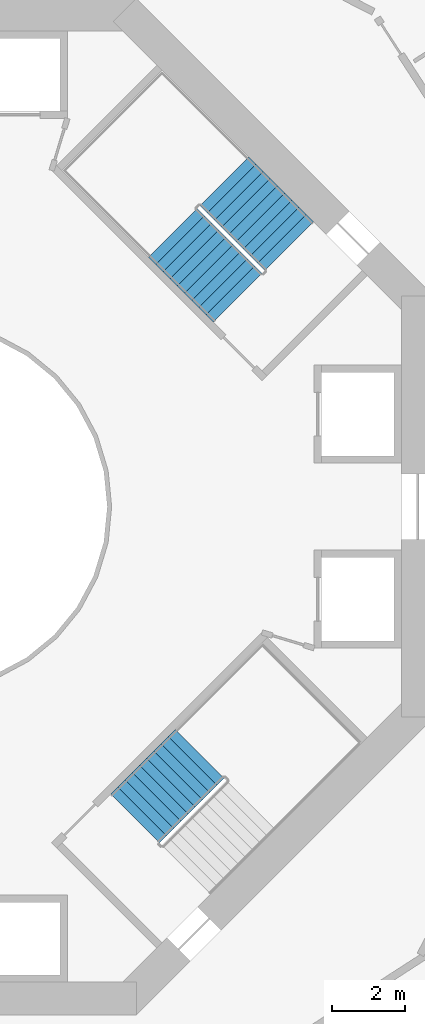
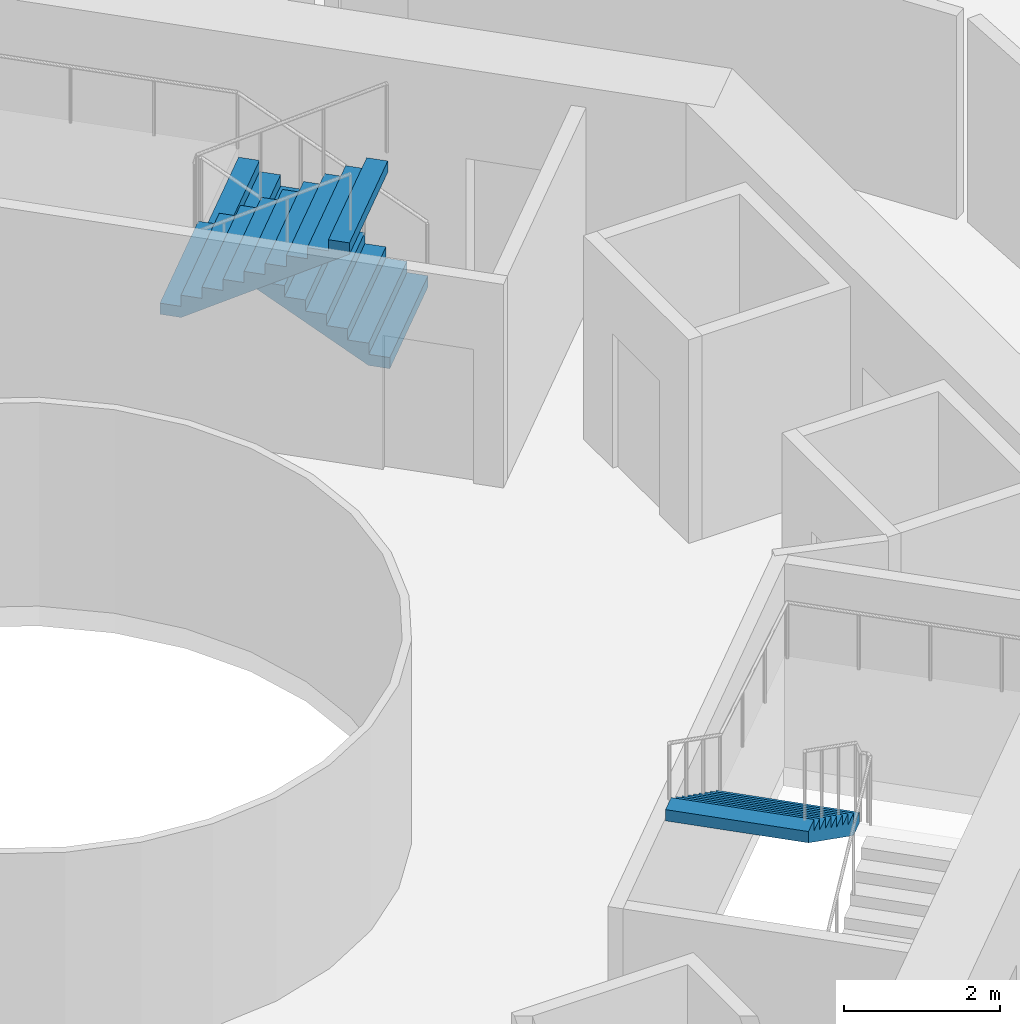
# One storey, part 24 of 25: 3 stair flights, 2 elements without a shape of their own.
"""IFC4 building model written with IfcOpenShell, lengths in metres."""

from ifc_helpers import new_model, si_unit, direction, frame, origin, place, context, subcontext, project, spatial, triangles, material, type_object, element, aggregate, save


model = new_model("IFC4")

# Units and contexts
model_context = context("Model", 3, precision=1e-05, world=origin(), true_north=direction((0.0, 1.0)))
body_context = subcontext(model_context, "Body", "Model", "MODEL_VIEW")
ifc_project = project(units=[si_unit("LENGTHUNIT", "METRE"), si_unit("AREAUNIT", "SQUARE_METRE"), si_unit("VOLUMEUNIT", "CUBIC_METRE"), si_unit("PLANEANGLEUNIT", "RADIAN"), si_unit("MASSUNIT", "GRAM", prefix="KILO")], contexts=[model_context])

# Site, building, storey
site_placement = place(None, origin())
site = spatial("IfcSite", under=ifc_project, at=site_placement, CompositionType="ELEMENT")
building_placement = place(site_placement, origin())
building = spatial("IfcBuilding", under=site, at=building_placement, Name="Verdalira Terraces Hotel", CompositionType="ELEMENT")
storey_placement = place(building_placement, frame((0.0, 0.0, 46.0)))
storey = spatial("IfcBuildingStorey", under=building, at=storey_placement, Name="L09", CompositionType="ELEMENT", Elevation=46.0)

# Stair, stair flights
ifc_material_1 = material(Name="Concrete C40", Category="concrete")
stair_type = type_object("IfcStairType", Name="Core stair 20 risers 1900 mm wide", PredefinedType="HALF_TURN_STAIR", material=ifc_material_1)
stair_1_placement = place(storey_placement, origin())
stair_1 = element("IfcStair", 1, at=stair_1_placement, inside=storey, type_object=stair_type, Name="L09 Exit stair ST1", PredefinedType="HALF_TURN_STAIR")
ifc_material_2 = material(Name="Concrete C40", Category="concrete")
stair_flight_type = type_object("IfcStairFlightType", Name="Core stair flight 20 risers 1900 mm wide", PredefinedType="STRAIGHT", material=ifc_material_2)
stair_flight_1_placement = place(storey_placement, frame((10.005615, 7.177246, 0.0), z_axis=(0.0, 0.0, 1.0), x_axis=(-0.707106781, 0.707106781, 0.0)))
stair_flight_1 = element("IfcStairFlight", 2, at=stair_flight_1_placement, type_object=stair_flight_type, Name="ST1 flight 1", NumberOfRisers=10, NumberOfTreads=9, PredefinedType="STRAIGHT", RiserHeight=0.175, TreadLength=0.28, context=body_context, shape_type="Tessellation", body=[
    triangles([(0.0, 0.949951, 0.0), (0.282715, 0.949951, 0.0), (2.52002, 0.949951, 1.398193), (0.0, -0.949951, 0.0), (0.282715, -0.949951, 0.0), (2.52002, -0.949951, 1.398193), (2.52002, 0.949951, 1.574951), (2.23999, 0.949951, 1.574951), (2.52002, -0.949951, 1.574951), (2.23999, -0.949951, 1.574951), (2.23999, 0.949951, 1.399902), (2.23999, -0.949951, 1.399902), (1.959961, 0.949951, 1.399902), (1.959961, -0.949951, 1.399902), (1.959961, 0.949951, 1.225098), (1.959961, -0.949951, 1.225098), (1.679932, 0.949951, 1.225098), (1.679932, 0.949951, 1.050049), (1.679932, -0.949951, 1.225098), (1.679932, -0.949951, 1.050049), (1.399902, 0.949951, 1.050049), (1.399902, 0.949951, 0.875), (1.399902, -0.949951, 1.050049), (1.399902, -0.949951, 0.875), (1.120117, 0.949951, 0.875), (1.120117, 0.949951, 0.699951), (1.120117, -0.949951, 0.875), (1.120117, -0.949951, 0.699951), (0.840088, 0.949951, 0.699951), (0.840088, 0.949951, 0.524902), (0.840088, -0.949951, 0.699951), (0.840088, -0.949951, 0.524902), (0.560059, 0.949951, 0.524902), (0.560059, 0.949951, 0.350098), (0.560059, -0.949951, 0.524902), (0.560059, -0.949951, 0.350098), (0.280029, 0.949951, 0.350098), (0.280029, 0.949951, 0.175049), (0.280029, -0.949951, 0.350098), (0.280029, -0.949951, 0.175049), (0.0, 0.949951, 0.175049), (0.0, -0.949951, 0.175049), (0.0, -0.890579, 0.0), (0.0, -0.890579, 0.175049), (0.0, -0.831207, 0.0), (0.0, -0.831207, 0.175049), (0.0, -0.771835, 0.0), (0.0, -0.771835, 0.175049), (0.0, -0.712463, 0.0), (0.0, -0.712463, 0.175049), (0.0, -0.653091, 0.0), (0.0, -0.653091, 0.175049), (0.0, -0.593719, 0.0), (0.0, -0.593719, 0.175049), (0.0, -0.534348, 0.0), (0.0, -0.534348, 0.175049), (0.0, -0.474976, 0.0), (0.0, -0.474976, 0.175049), (0.0, -0.415604, 0.0), (0.0, -0.415604, 0.175049), (0.0, -0.356232, 0.0), (0.0, -0.356232, 0.175049), (0.0, -0.29686, 0.0), (0.0, -0.29686, 0.175049), (0.0, -0.237488, 0.0), (0.0, -0.237488, 0.175049), (0.0, -0.178116, 0.0), (0.0, -0.178116, 0.175049), (0.0, -0.118744, 0.0), (0.0, -0.118744, 0.175049), (0.0, -0.059372, 0.0), (0.0, -0.059372, 0.175049), (0.0, 0.0, 0.0), (0.0, 0.0, 0.175049), (0.0, 0.059372, 0.0), (0.0, 0.059372, 0.175049), (0.0, 0.118744, 0.0), (0.0, 0.118744, 0.175049), (0.0, 0.178116, 0.0), (0.0, 0.178116, 0.175049), (0.0, 0.237488, 0.0), (0.0, 0.237488, 0.175049), (0.0, 0.29686, 0.0), (0.0, 0.29686, 0.175049), (0.0, 0.356232, 0.0), (0.0, 0.356232, 0.175049), (0.0, 0.415604, 0.0), (0.0, 0.415604, 0.175049), (0.0, 0.474976, 0.0), (0.0, 0.474976, 0.175049), (0.0, 0.534348, 0.0), (0.0, 0.534348, 0.175049), (0.0, 0.593719, 0.0), (0.0, 0.593719, 0.175049), (0.0, 0.653091, 0.0), (0.0, 0.653091, 0.175049), (0.0, 0.712463, 0.0), (0.0, 0.712463, 0.175049), (0.0, 0.771835, 0.0), (0.0, 0.771835, 0.175049), (0.0, 0.831207, 0.0), (0.0, 0.831207, 0.175049), (0.0, 0.890579, 0.0), (0.0, 0.890579, 0.175049), (2.52002, -0.890579, 1.574951), (2.52002, -0.831207, 1.574951), (2.52002, -0.771835, 1.574951), (2.52002, -0.712463, 1.574951), (2.52002, -0.653091, 1.574951), (2.52002, -0.593719, 1.574951), (2.52002, -0.534348, 1.574951), (2.52002, -0.474976, 1.574951), (2.52002, -0.415604, 1.574951), (2.52002, -0.356232, 1.574951), (2.52002, -0.29686, 1.574951), (2.52002, -0.237488, 1.574951), (2.52002, -0.178116, 1.574951), (2.52002, -0.118744, 1.574951), (2.52002, -0.059372, 1.574951), (2.52002, 0.0, 1.574951), (2.52002, 0.059372, 1.574951), (2.52002, 0.118744, 1.574951), (2.52002, 0.178116, 1.574951), (2.52002, 0.237488, 1.574951), (2.52002, 0.29686, 1.574951), (2.52002, 0.356232, 1.574951), (2.52002, 0.415604, 1.574951), (2.52002, 0.474976, 1.574951), (2.52002, 0.534348, 1.574951), (2.52002, 0.593719, 1.574951), (2.52002, 0.653091, 1.574951), (2.52002, 0.712463, 1.574951), (2.52002, 0.771835, 1.574951), (2.52002, 0.831207, 1.574951), (2.52002, 0.890579, 1.574951), (2.52002, -0.890579, 1.398193), (2.52002, -0.831207, 1.398193), (2.52002, -0.771835, 1.398193), (2.52002, -0.712463, 1.398193), (2.52002, -0.653091, 1.398193), (2.52002, -0.593719, 1.398193), (2.52002, -0.534348, 1.398193), (2.52002, -0.474976, 1.398193), (2.52002, -0.415604, 1.398193), (2.52002, -0.356232, 1.398193), (2.52002, -0.29686, 1.398193), (2.52002, -0.237488, 1.398193), (2.52002, -0.178116, 1.398193), (2.52002, -0.118744, 1.398193), (2.52002, -0.059372, 1.398193), (2.52002, 0.0, 1.398193), (2.52002, 0.059372, 1.398193), (2.52002, 0.118744, 1.398193), (2.52002, 0.178116, 1.398193), (2.52002, 0.237488, 1.398193), (2.52002, 0.29686, 1.398193), (2.52002, 0.356232, 1.398193), (2.52002, 0.415604, 1.398193), (2.52002, 0.474976, 1.398193), (2.52002, 0.534348, 1.398193), (2.52002, 0.593719, 1.398193), (2.52002, 0.653091, 1.398193), (2.52002, 0.712463, 1.398193), (2.52002, 0.771835, 1.398193), (2.52002, 0.831207, 1.398193), (2.52002, 0.890579, 1.398193)], [[1, 3, 2], [4, 5, 6], [3, 8, 7], [6, 9, 10], [3, 11, 8], [6, 10, 12], [3, 13, 11], [6, 12, 14], [3, 15, 13], [6, 14, 16], [15, 18, 17], [16, 19, 20], [3, 18, 15], [6, 16, 20], [18, 22, 21], [20, 23, 24], [3, 22, 18], [6, 20, 24], [22, 26, 25], [24, 27, 28], [3, 26, 22], [6, 24, 28], [26, 30, 29], [28, 31, 32], [3, 30, 26], [6, 28, 32], [1, 30, 3], [4, 6, 32], [30, 34, 33], [32, 35, 36], [34, 38, 37], [36, 39, 40], [30, 38, 34], [32, 36, 40], [1, 38, 30], [4, 32, 40], [38, 1, 41], [40, 42, 4], [4, 44, 43], [4, 42, 44], [43, 46, 45], [43, 44, 46], [45, 48, 47], [45, 46, 48], [47, 50, 49], [47, 48, 50], [49, 52, 51], [49, 50, 52], [51, 54, 53], [51, 52, 54], [53, 56, 55], [53, 54, 56], [55, 58, 57], [55, 56, 58], [57, 60, 59], [57, 58, 60], [59, 62, 61], [59, 60, 62], [61, 64, 63], [61, 62, 64], [63, 66, 65], [63, 64, 66], [65, 68, 67], [65, 66, 68], [67, 70, 69], [67, 68, 70], [69, 72, 71], [69, 70, 72], [71, 74, 73], [71, 72, 74], [73, 76, 75], [73, 74, 76], [75, 78, 77], [75, 76, 78], [77, 80, 79], [77, 78, 80], [79, 82, 81], [79, 80, 82], [81, 84, 83], [81, 82, 84], [83, 86, 85], [83, 84, 86], [85, 88, 87], [85, 86, 88], [87, 90, 89], [87, 88, 90], [89, 92, 91], [89, 90, 92], [91, 94, 93], [91, 92, 94], [93, 96, 95], [93, 94, 96], [95, 98, 97], [95, 96, 98], [97, 100, 99], [97, 98, 100], [99, 102, 101], [99, 100, 102], [101, 104, 103], [101, 102, 104], [103, 41, 1], [103, 104, 41], [42, 40, 44], [44, 40, 46], [46, 40, 48], [48, 40, 50], [50, 40, 52], [52, 40, 54], [54, 40, 56], [56, 40, 58], [58, 40, 60], [60, 40, 62], [62, 40, 64], [64, 40, 66], [66, 40, 68], [68, 40, 70], [70, 40, 72], [72, 40, 74], [74, 40, 76], [76, 40, 78], [78, 40, 80], [80, 40, 82], [82, 40, 84], [84, 40, 86], [86, 40, 88], [88, 40, 90], [90, 40, 92], [92, 40, 94], [94, 40, 96], [96, 40, 98], [98, 40, 100], [100, 40, 102], [102, 40, 104], [104, 40, 41], [41, 40, 38], [40, 37, 38], [40, 39, 37], [39, 34, 37], [39, 36, 34], [36, 33, 34], [36, 35, 33], [35, 30, 33], [35, 32, 30], [32, 29, 30], [32, 31, 29], [31, 26, 29], [31, 28, 26], [28, 25, 26], [28, 27, 25], [27, 22, 25], [27, 24, 22], [24, 21, 22], [24, 23, 21], [23, 18, 21], [23, 20, 18], [20, 17, 18], [20, 19, 17], [19, 15, 17], [19, 16, 15], [16, 13, 15], [16, 14, 13], [14, 11, 13], [14, 12, 11], [12, 8, 11], [12, 10, 8], [9, 105, 10], [105, 106, 10], [106, 107, 10], [107, 108, 10], [108, 109, 10], [109, 110, 10], [110, 111, 10], [111, 112, 10], [112, 113, 10], [113, 114, 10], [114, 115, 10], [115, 116, 10], [116, 117, 10], [117, 118, 10], [118, 119, 10], [119, 120, 10], [120, 121, 10], [121, 122, 10], [122, 123, 10], [123, 124, 10], [124, 125, 10], [125, 126, 10], [126, 127, 10], [127, 128, 10], [128, 129, 10], [129, 130, 10], [130, 131, 10], [131, 132, 10], [132, 133, 10], [133, 134, 10], [134, 135, 10], [135, 7, 10], [7, 8, 10], [9, 136, 105], [9, 6, 136], [105, 137, 106], [105, 136, 137], [106, 138, 107], [106, 137, 138], [107, 139, 108], [107, 138, 139], [108, 140, 109], [108, 139, 140], [109, 141, 110], [109, 140, 141], [110, 142, 111], [110, 141, 142], [111, 143, 112], [111, 142, 143], [112, 144, 113], [112, 143, 144], [113, 145, 114], [113, 144, 145], [114, 146, 115], [114, 145, 146], [115, 147, 116], [115, 146, 147], [116, 148, 117], [116, 147, 148], [117, 149, 118], [117, 148, 149], [118, 150, 119], [118, 149, 150], [119, 151, 120], [119, 150, 151], [120, 152, 121], [120, 151, 152], [121, 153, 122], [121, 152, 153], [122, 154, 123], [122, 153, 154], [123, 155, 124], [123, 154, 155], [124, 156, 125], [124, 155, 156], [125, 157, 126], [125, 156, 157], [126, 158, 127], [126, 157, 158], [127, 159, 128], [127, 158, 159], [128, 160, 129], [128, 159, 160], [129, 161, 130], [129, 160, 161], [130, 162, 131], [130, 161, 162], [131, 163, 132], [131, 162, 163], [132, 164, 133], [132, 163, 164], [133, 165, 134], [133, 164, 165], [134, 166, 135], [134, 165, 166], [135, 3, 7], [135, 166, 3], [6, 5, 136], [136, 5, 137], [137, 5, 138], [138, 5, 139], [139, 5, 140], [140, 5, 141], [141, 5, 142], [142, 5, 143], [143, 5, 144], [144, 5, 145], [145, 5, 146], [146, 5, 147], [147, 5, 148], [148, 5, 149], [149, 5, 150], [150, 5, 151], [151, 5, 152], [152, 5, 153], [153, 5, 154], [154, 5, 155], [155, 5, 156], [156, 5, 157], [157, 5, 158], [158, 5, 159], [159, 5, 160], [160, 5, 161], [161, 5, 162], [162, 5, 163], [163, 5, 164], [164, 5, 165], [165, 5, 166], [166, 5, 3], [3, 5, 2], [4, 43, 5], [43, 45, 5], [45, 47, 5], [47, 49, 5], [49, 51, 5], [51, 53, 5], [53, 55, 5], [55, 57, 5], [57, 59, 5], [59, 61, 5], [61, 63, 5], [63, 65, 5], [65, 67, 5], [67, 69, 5], [69, 71, 5], [71, 73, 5], [73, 75, 5], [75, 77, 5], [77, 79, 5], [79, 81, 5], [81, 83, 5], [83, 85, 5], [85, 87, 5], [87, 89, 5], [89, 91, 5], [91, 93, 5], [93, 95, 5], [95, 97, 5], [97, 99, 5], [99, 101, 5], [101, 103, 5], [103, 1, 5], [1, 2, 5]], closed=True),
])
stair_flight_2_placement = place(storey_placement, frame((6.809326, 7.544922, 1.75), z_axis=(0.0, 0.0, 1.0), x_axis=(0.707106781, -0.707106781, 0.0)))
stair_flight_2 = element("IfcStairFlight", 3, at=stair_flight_2_placement, type_object=stair_flight_type, Name="ST1 flight 2", NumberOfRisers=10, NumberOfTreads=9, PredefinedType="STRAIGHT", RiserHeight=0.175, TreadLength=0.28, context=body_context, shape_type="Tessellation", body=[
    triangles([(0.0, 0.949951, 0.0), (0.282715, 0.949951, 0.0), (2.52002, 0.949951, 1.398193), (0.0, -0.949951, 0.0), (0.282715, -0.949951, 0.0), (2.52002, -0.949951, 1.398193), (2.52002, 0.949951, 1.574951), (2.23999, 0.949951, 1.574951), (2.52002, -0.949951, 1.574951), (2.23999, -0.949951, 1.574951), (2.23999, 0.949951, 1.399902), (2.23999, -0.949951, 1.399902), (1.959961, 0.949951, 1.399902), (1.959961, -0.949951, 1.399902), (1.959961, 0.949951, 1.225098), (1.959961, -0.949951, 1.225098), (1.679932, 0.949951, 1.225098), (1.679932, 0.949951, 1.050049), (1.679932, -0.949951, 1.225098), (1.679932, -0.949951, 1.050049), (1.399902, 0.949951, 1.050049), (1.399902, 0.949951, 0.875), (1.399902, -0.949951, 1.050049), (1.399902, -0.949951, 0.875), (1.120117, 0.949951, 0.875), (1.120117, 0.949951, 0.699951), (1.120117, -0.949951, 0.875), (1.120117, -0.949951, 0.699951), (0.840088, 0.949951, 0.699951), (0.840088, 0.949951, 0.524902), (0.840088, -0.949951, 0.699951), (0.840088, -0.949951, 0.524902), (0.560059, 0.949951, 0.524902), (0.560059, 0.949951, 0.350098), (0.560059, -0.949951, 0.524902), (0.560059, -0.949951, 0.350098), (0.280029, 0.949951, 0.350098), (0.280029, 0.949951, 0.175049), (0.280029, -0.949951, 0.350098), (0.280029, -0.949951, 0.175049), (0.0, 0.949951, 0.175049), (0.0, -0.949951, 0.175049), (0.0, -0.890579, 0.0), (0.0, -0.890579, 0.175049), (0.0, -0.831207, 0.0), (0.0, -0.831207, 0.175049), (0.0, -0.771835, 0.0), (0.0, -0.771835, 0.175049), (0.0, -0.712463, 0.0), (0.0, -0.712463, 0.175049), (0.0, -0.653091, 0.0), (0.0, -0.653091, 0.175049), (0.0, -0.593719, 0.0), (0.0, -0.593719, 0.175049), (0.0, -0.534348, 0.0), (0.0, -0.534348, 0.175049), (0.0, -0.474976, 0.0), (0.0, -0.474976, 0.175049), (0.0, -0.415604, 0.0), (0.0, -0.415604, 0.175049), (0.0, -0.356232, 0.0), (0.0, -0.356232, 0.175049), (0.0, -0.29686, 0.0), (0.0, -0.29686, 0.175049), (0.0, -0.237488, 0.0), (0.0, -0.237488, 0.175049), (0.0, -0.178116, 0.0), (0.0, -0.178116, 0.175049), (0.0, -0.118744, 0.0), (0.0, -0.118744, 0.175049), (0.0, -0.059372, 0.0), (0.0, -0.059372, 0.175049), (0.0, 0.0, 0.0), (0.0, 0.0, 0.175049), (0.0, 0.059372, 0.0), (0.0, 0.059372, 0.175049), (0.0, 0.118744, 0.0), (0.0, 0.118744, 0.175049), (0.0, 0.178116, 0.0), (0.0, 0.178116, 0.175049), (0.0, 0.237488, 0.0), (0.0, 0.237488, 0.175049), (0.0, 0.29686, 0.0), (0.0, 0.29686, 0.175049), (0.0, 0.356232, 0.0), (0.0, 0.356232, 0.175049), (0.0, 0.415604, 0.0), (0.0, 0.415604, 0.175049), (0.0, 0.474976, 0.0), (0.0, 0.474976, 0.175049), (0.0, 0.534348, 0.0), (0.0, 0.534348, 0.175049), (0.0, 0.593719, 0.0), (0.0, 0.593719, 0.175049), (0.0, 0.653091, 0.0), (0.0, 0.653091, 0.175049), (0.0, 0.712463, 0.0), (0.0, 0.712463, 0.175049), (0.0, 0.771835, 0.0), (0.0, 0.771835, 0.175049), (0.0, 0.831207, 0.0), (0.0, 0.831207, 0.175049), (0.0, 0.890579, 0.0), (0.0, 0.890579, 0.175049), (2.52002, -0.890579, 1.574951), (2.52002, -0.831207, 1.574951), (2.52002, -0.771835, 1.574951), (2.52002, -0.712463, 1.574951), (2.52002, -0.653091, 1.574951), (2.52002, -0.593719, 1.574951), (2.52002, -0.534348, 1.574951), (2.52002, -0.474976, 1.574951), (2.52002, -0.415604, 1.574951), (2.52002, -0.356232, 1.574951), (2.52002, -0.29686, 1.574951), (2.52002, -0.237488, 1.574951), (2.52002, -0.178116, 1.574951), (2.52002, -0.118744, 1.574951), (2.52002, -0.059372, 1.574951), (2.52002, 0.0, 1.574951), (2.52002, 0.059372, 1.574951), (2.52002, 0.118744, 1.574951), (2.52002, 0.178116, 1.574951), (2.52002, 0.237488, 1.574951), (2.52002, 0.29686, 1.574951), (2.52002, 0.356232, 1.574951), (2.52002, 0.415604, 1.574951), (2.52002, 0.474976, 1.574951), (2.52002, 0.534348, 1.574951), (2.52002, 0.593719, 1.574951), (2.52002, 0.653091, 1.574951), (2.52002, 0.712463, 1.574951), (2.52002, 0.771835, 1.574951), (2.52002, 0.831207, 1.574951), (2.52002, 0.890579, 1.574951), (2.52002, -0.890579, 1.398193), (2.52002, -0.831207, 1.398193), (2.52002, -0.771835, 1.398193), (2.52002, -0.712463, 1.398193), (2.52002, -0.653091, 1.398193), (2.52002, -0.593719, 1.398193), (2.52002, -0.534348, 1.398193), (2.52002, -0.474976, 1.398193), (2.52002, -0.415604, 1.398193), (2.52002, -0.356232, 1.398193), (2.52002, -0.29686, 1.398193), (2.52002, -0.237488, 1.398193), (2.52002, -0.178116, 1.398193), (2.52002, -0.118744, 1.398193), (2.52002, -0.059372, 1.398193), (2.52002, 0.0, 1.398193), (2.52002, 0.059372, 1.398193), (2.52002, 0.118744, 1.398193), (2.52002, 0.178116, 1.398193), (2.52002, 0.237488, 1.398193), (2.52002, 0.29686, 1.398193), (2.52002, 0.356232, 1.398193), (2.52002, 0.415604, 1.398193), (2.52002, 0.474976, 1.398193), (2.52002, 0.534348, 1.398193), (2.52002, 0.593719, 1.398193), (2.52002, 0.653091, 1.398193), (2.52002, 0.712463, 1.398193), (2.52002, 0.771835, 1.398193), (2.52002, 0.831207, 1.398193), (2.52002, 0.890579, 1.398193)], [[1, 3, 2], [4, 5, 6], [3, 8, 7], [6, 9, 10], [3, 11, 8], [6, 10, 12], [3, 13, 11], [6, 12, 14], [3, 15, 13], [6, 14, 16], [15, 18, 17], [16, 19, 20], [3, 18, 15], [6, 16, 20], [18, 22, 21], [20, 23, 24], [3, 22, 18], [6, 20, 24], [22, 26, 25], [24, 27, 28], [3, 26, 22], [6, 24, 28], [26, 30, 29], [28, 31, 32], [3, 30, 26], [6, 28, 32], [1, 30, 3], [4, 6, 32], [30, 34, 33], [32, 35, 36], [34, 38, 37], [36, 39, 40], [30, 38, 34], [32, 36, 40], [1, 38, 30], [4, 32, 40], [38, 1, 41], [40, 42, 4], [4, 44, 43], [4, 42, 44], [43, 46, 45], [43, 44, 46], [45, 48, 47], [45, 46, 48], [47, 50, 49], [47, 48, 50], [49, 52, 51], [49, 50, 52], [51, 54, 53], [51, 52, 54], [53, 56, 55], [53, 54, 56], [55, 58, 57], [55, 56, 58], [57, 60, 59], [57, 58, 60], [59, 62, 61], [59, 60, 62], [61, 64, 63], [61, 62, 64], [63, 66, 65], [63, 64, 66], [65, 68, 67], [65, 66, 68], [67, 70, 69], [67, 68, 70], [69, 72, 71], [69, 70, 72], [71, 74, 73], [71, 72, 74], [73, 76, 75], [73, 74, 76], [75, 78, 77], [75, 76, 78], [77, 80, 79], [77, 78, 80], [79, 82, 81], [79, 80, 82], [81, 84, 83], [81, 82, 84], [83, 86, 85], [83, 84, 86], [85, 88, 87], [85, 86, 88], [87, 90, 89], [87, 88, 90], [89, 92, 91], [89, 90, 92], [91, 94, 93], [91, 92, 94], [93, 96, 95], [93, 94, 96], [95, 98, 97], [95, 96, 98], [97, 100, 99], [97, 98, 100], [99, 102, 101], [99, 100, 102], [101, 104, 103], [101, 102, 104], [103, 41, 1], [103, 104, 41], [42, 40, 44], [44, 40, 46], [46, 40, 48], [48, 40, 50], [50, 40, 52], [52, 40, 54], [54, 40, 56], [56, 40, 58], [58, 40, 60], [60, 40, 62], [62, 40, 64], [64, 40, 66], [66, 40, 68], [68, 40, 70], [70, 40, 72], [72, 40, 74], [74, 40, 76], [76, 40, 78], [78, 40, 80], [80, 40, 82], [82, 40, 84], [84, 40, 86], [86, 40, 88], [88, 40, 90], [90, 40, 92], [92, 40, 94], [94, 40, 96], [96, 40, 98], [98, 40, 100], [100, 40, 102], [102, 40, 104], [104, 40, 41], [41, 40, 38], [40, 37, 38], [40, 39, 37], [39, 34, 37], [39, 36, 34], [36, 33, 34], [36, 35, 33], [35, 30, 33], [35, 32, 30], [32, 29, 30], [32, 31, 29], [31, 26, 29], [31, 28, 26], [28, 25, 26], [28, 27, 25], [27, 22, 25], [27, 24, 22], [24, 21, 22], [24, 23, 21], [23, 18, 21], [23, 20, 18], [20, 17, 18], [20, 19, 17], [19, 15, 17], [19, 16, 15], [16, 13, 15], [16, 14, 13], [14, 11, 13], [14, 12, 11], [12, 8, 11], [12, 10, 8], [9, 105, 10], [105, 106, 10], [106, 107, 10], [107, 108, 10], [108, 109, 10], [109, 110, 10], [110, 111, 10], [111, 112, 10], [112, 113, 10], [113, 114, 10], [114, 115, 10], [115, 116, 10], [116, 117, 10], [117, 118, 10], [118, 119, 10], [119, 120, 10], [120, 121, 10], [121, 122, 10], [122, 123, 10], [123, 124, 10], [124, 125, 10], [125, 126, 10], [126, 127, 10], [127, 128, 10], [128, 129, 10], [129, 130, 10], [130, 131, 10], [131, 132, 10], [132, 133, 10], [133, 134, 10], [134, 135, 10], [135, 7, 10], [7, 8, 10], [9, 136, 105], [9, 6, 136], [105, 137, 106], [105, 136, 137], [106, 138, 107], [106, 137, 138], [107, 139, 108], [107, 138, 139], [108, 140, 109], [108, 139, 140], [109, 141, 110], [109, 140, 141], [110, 142, 111], [110, 141, 142], [111, 143, 112], [111, 142, 143], [112, 144, 113], [112, 143, 144], [113, 145, 114], [113, 144, 145], [114, 146, 115], [114, 145, 146], [115, 147, 116], [115, 146, 147], [116, 148, 117], [116, 147, 148], [117, 149, 118], [117, 148, 149], [118, 150, 119], [118, 149, 150], [119, 151, 120], [119, 150, 151], [120, 152, 121], [120, 151, 152], [121, 153, 122], [121, 152, 153], [122, 154, 123], [122, 153, 154], [123, 155, 124], [123, 154, 155], [124, 156, 125], [124, 155, 156], [125, 157, 126], [125, 156, 157], [126, 158, 127], [126, 157, 158], [127, 159, 128], [127, 158, 159], [128, 160, 129], [128, 159, 160], [129, 161, 130], [129, 160, 161], [130, 162, 131], [130, 161, 162], [131, 163, 132], [131, 162, 163], [132, 164, 133], [132, 163, 164], [133, 165, 134], [133, 164, 165], [134, 166, 135], [134, 165, 166], [135, 3, 7], [135, 166, 3], [6, 5, 136], [136, 5, 137], [137, 5, 138], [138, 5, 139], [139, 5, 140], [140, 5, 141], [141, 5, 142], [142, 5, 143], [143, 5, 144], [144, 5, 145], [145, 5, 146], [146, 5, 147], [147, 5, 148], [148, 5, 149], [149, 5, 150], [150, 5, 151], [151, 5, 152], [152, 5, 153], [153, 5, 154], [154, 5, 155], [155, 5, 156], [156, 5, 157], [157, 5, 158], [158, 5, 159], [159, 5, 160], [160, 5, 161], [161, 5, 162], [162, 5, 163], [163, 5, 164], [164, 5, 165], [165, 5, 166], [166, 5, 3], [3, 5, 2], [4, 43, 5], [43, 45, 5], [45, 47, 5], [47, 49, 5], [49, 51, 5], [51, 53, 5], [53, 55, 5], [55, 57, 5], [57, 59, 5], [59, 61, 5], [61, 63, 5], [63, 65, 5], [65, 67, 5], [67, 69, 5], [69, 71, 5], [71, 73, 5], [73, 75, 5], [75, 77, 5], [77, 79, 5], [79, 81, 5], [81, 83, 5], [83, 85, 5], [85, 87, 5], [87, 89, 5], [89, 91, 5], [91, 93, 5], [93, 95, 5], [95, 97, 5], [97, 99, 5], [99, 101, 5], [101, 103, 5], [103, 1, 5], [1, 2, 5]], closed=True),
])
aggregate(stair_1, [stair_flight_1, stair_flight_2])

# Stair, stair flight
stair_2_placement = place(storey_placement, origin())
stair_2 = element("IfcStair", 4, at=stair_2_placement, inside=storey, type_object=stair_type, Name="L09 Exit stair ST3", PredefinedType="HALF_TURN_STAIR")
stair_flight_3_placement = place(storey_placement, frame((7.544922, -6.809326, 1.75), z_axis=(0.0, 0.0, 1.0), x_axis=(-0.707106781, -0.707106781, 0.0)))
stair_flight_3 = element("IfcStairFlight", 5, at=stair_flight_3_placement, type_object=stair_flight_type, Name="ST3 flight 2", NumberOfRisers=10, NumberOfTreads=9, PredefinedType="STRAIGHT", RiserHeight=0.175, TreadLength=0.28, context=body_context, shape_type="Tessellation", body=[
    triangles([(0.0, 0.949951, 0.0), (0.282715, 0.949951, 0.0), (2.52002, 0.949951, 1.398193), (0.0, -0.949951, 0.0), (0.282715, -0.949951, 0.0), (2.52002, -0.949951, 1.398193), (2.52002, 0.949951, 1.574951), (2.23999, 0.949951, 1.574951), (2.52002, -0.949951, 1.574951), (2.23999, -0.949951, 1.574951), (2.23999, 0.949951, 1.399902), (2.23999, -0.949951, 1.399902), (1.959961, 0.949951, 1.399902), (1.959961, -0.949951, 1.399902), (1.959961, 0.949951, 1.225098), (1.959961, -0.949951, 1.225098), (1.679932, 0.949951, 1.225098), (1.679932, 0.949951, 1.050049), (1.679932, -0.949951, 1.225098), (1.679932, -0.949951, 1.050049), (1.399902, 0.949951, 1.050049), (1.399902, 0.949951, 0.875), (1.399902, -0.949951, 1.050049), (1.399902, -0.949951, 0.875), (1.120117, 0.949951, 0.875), (1.120117, 0.949951, 0.699951), (1.120117, -0.949951, 0.875), (1.120117, -0.949951, 0.699951), (0.840088, 0.949951, 0.699951), (0.840088, 0.949951, 0.524902), (0.840088, -0.949951, 0.699951), (0.840088, -0.949951, 0.524902), (0.560059, 0.949951, 0.524902), (0.560059, 0.949951, 0.350098), (0.560059, -0.949951, 0.524902), (0.560059, -0.949951, 0.350098), (0.280029, 0.949951, 0.350098), (0.280029, 0.949951, 0.175049), (0.280029, -0.949951, 0.350098), (0.280029, -0.949951, 0.175049), (0.0, 0.949951, 0.175049), (0.0, -0.949951, 0.175049), (0.0, -0.890579, 0.0), (0.0, -0.890579, 0.175049), (0.0, -0.831207, 0.0), (0.0, -0.831207, 0.175049), (0.0, -0.771835, 0.0), (0.0, -0.771835, 0.175049), (0.0, -0.712463, 0.0), (0.0, -0.712463, 0.175049), (0.0, -0.653091, 0.0), (0.0, -0.653091, 0.175049), (0.0, -0.593719, 0.0), (0.0, -0.593719, 0.175049), (0.0, -0.534348, 0.0), (0.0, -0.534348, 0.175049), (0.0, -0.474976, 0.0), (0.0, -0.474976, 0.175049), (0.0, -0.415604, 0.0), (0.0, -0.415604, 0.175049), (0.0, -0.356232, 0.0), (0.0, -0.356232, 0.175049), (0.0, -0.29686, 0.0), (0.0, -0.29686, 0.175049), (0.0, -0.237488, 0.0), (0.0, -0.237488, 0.175049), (0.0, -0.178116, 0.0), (0.0, -0.178116, 0.175049), (0.0, -0.118744, 0.0), (0.0, -0.118744, 0.175049), (0.0, -0.059372, 0.0), (0.0, -0.059372, 0.175049), (0.0, 0.0, 0.0), (0.0, 0.0, 0.175049), (0.0, 0.059372, 0.0), (0.0, 0.059372, 0.175049), (0.0, 0.118744, 0.0), (0.0, 0.118744, 0.175049), (0.0, 0.178116, 0.0), (0.0, 0.178116, 0.175049), (0.0, 0.237488, 0.0), (0.0, 0.237488, 0.175049), (0.0, 0.29686, 0.0), (0.0, 0.29686, 0.175049), (0.0, 0.356232, 0.0), (0.0, 0.356232, 0.175049), (0.0, 0.415604, 0.0), (0.0, 0.415604, 0.175049), (0.0, 0.474976, 0.0), (0.0, 0.474976, 0.175049), (0.0, 0.534348, 0.0), (0.0, 0.534348, 0.175049), (0.0, 0.593719, 0.0), (0.0, 0.593719, 0.175049), (0.0, 0.653091, 0.0), (0.0, 0.653091, 0.175049), (0.0, 0.712463, 0.0), (0.0, 0.712463, 0.175049), (0.0, 0.771835, 0.0), (0.0, 0.771835, 0.175049), (0.0, 0.831207, 0.0), (0.0, 0.831207, 0.175049), (0.0, 0.890579, 0.0), (0.0, 0.890579, 0.175049), (2.52002, -0.890579, 1.574951), (2.52002, -0.831207, 1.574951), (2.52002, -0.771835, 1.574951), (2.52002, -0.712463, 1.574951), (2.52002, -0.653091, 1.574951), (2.52002, -0.593719, 1.574951), (2.52002, -0.534348, 1.574951), (2.52002, -0.474976, 1.574951), (2.52002, -0.415604, 1.574951), (2.52002, -0.356232, 1.574951), (2.52002, -0.29686, 1.574951), (2.52002, -0.237488, 1.574951), (2.52002, -0.178116, 1.574951), (2.52002, -0.118744, 1.574951), (2.52002, -0.059372, 1.574951), (2.52002, 0.0, 1.574951), (2.52002, 0.059372, 1.574951), (2.52002, 0.118744, 1.574951), (2.52002, 0.178116, 1.574951), (2.52002, 0.237488, 1.574951), (2.52002, 0.29686, 1.574951), (2.52002, 0.356232, 1.574951), (2.52002, 0.415604, 1.574951), (2.52002, 0.474976, 1.574951), (2.52002, 0.534348, 1.574951), (2.52002, 0.593719, 1.574951), (2.52002, 0.653091, 1.574951), (2.52002, 0.712463, 1.574951), (2.52002, 0.771835, 1.574951), (2.52002, 0.831207, 1.574951), (2.52002, 0.890579, 1.574951), (2.52002, -0.890579, 1.398193), (2.52002, -0.831207, 1.398193), (2.52002, -0.771835, 1.398193), (2.52002, -0.712463, 1.398193), (2.52002, -0.653091, 1.398193), (2.52002, -0.593719, 1.398193), (2.52002, -0.534348, 1.398193), (2.52002, -0.474976, 1.398193), (2.52002, -0.415604, 1.398193), (2.52002, -0.356232, 1.398193), (2.52002, -0.29686, 1.398193), (2.52002, -0.237488, 1.398193), (2.52002, -0.178116, 1.398193), (2.52002, -0.118744, 1.398193), (2.52002, -0.059372, 1.398193), (2.52002, 0.0, 1.398193), (2.52002, 0.059372, 1.398193), (2.52002, 0.118744, 1.398193), (2.52002, 0.178116, 1.398193), (2.52002, 0.237488, 1.398193), (2.52002, 0.29686, 1.398193), (2.52002, 0.356232, 1.398193), (2.52002, 0.415604, 1.398193), (2.52002, 0.474976, 1.398193), (2.52002, 0.534348, 1.398193), (2.52002, 0.593719, 1.398193), (2.52002, 0.653091, 1.398193), (2.52002, 0.712463, 1.398193), (2.52002, 0.771835, 1.398193), (2.52002, 0.831207, 1.398193), (2.52002, 0.890579, 1.398193)], [[1, 3, 2], [4, 5, 6], [3, 8, 7], [6, 9, 10], [3, 11, 8], [6, 10, 12], [3, 13, 11], [6, 12, 14], [3, 15, 13], [6, 14, 16], [15, 18, 17], [16, 19, 20], [3, 18, 15], [6, 16, 20], [18, 22, 21], [20, 23, 24], [3, 22, 18], [6, 20, 24], [22, 26, 25], [24, 27, 28], [3, 26, 22], [6, 24, 28], [26, 30, 29], [28, 31, 32], [3, 30, 26], [6, 28, 32], [1, 30, 3], [4, 6, 32], [30, 34, 33], [32, 35, 36], [34, 38, 37], [36, 39, 40], [30, 38, 34], [32, 36, 40], [1, 38, 30], [4, 32, 40], [38, 1, 41], [40, 42, 4], [4, 44, 43], [4, 42, 44], [43, 46, 45], [43, 44, 46], [45, 48, 47], [45, 46, 48], [47, 50, 49], [47, 48, 50], [49, 52, 51], [49, 50, 52], [51, 54, 53], [51, 52, 54], [53, 56, 55], [53, 54, 56], [55, 58, 57], [55, 56, 58], [57, 60, 59], [57, 58, 60], [59, 62, 61], [59, 60, 62], [61, 64, 63], [61, 62, 64], [63, 66, 65], [63, 64, 66], [65, 68, 67], [65, 66, 68], [67, 70, 69], [67, 68, 70], [69, 72, 71], [69, 70, 72], [71, 74, 73], [71, 72, 74], [73, 76, 75], [73, 74, 76], [75, 78, 77], [75, 76, 78], [77, 80, 79], [77, 78, 80], [79, 82, 81], [79, 80, 82], [81, 84, 83], [81, 82, 84], [83, 86, 85], [83, 84, 86], [85, 88, 87], [85, 86, 88], [87, 90, 89], [87, 88, 90], [89, 92, 91], [89, 90, 92], [91, 94, 93], [91, 92, 94], [93, 96, 95], [93, 94, 96], [95, 98, 97], [95, 96, 98], [97, 100, 99], [97, 98, 100], [99, 102, 101], [99, 100, 102], [101, 104, 103], [101, 102, 104], [103, 41, 1], [103, 104, 41], [42, 40, 44], [44, 40, 46], [46, 40, 48], [48, 40, 50], [50, 40, 52], [52, 40, 54], [54, 40, 56], [56, 40, 58], [58, 40, 60], [60, 40, 62], [62, 40, 64], [64, 40, 66], [66, 40, 68], [68, 40, 70], [70, 40, 72], [72, 40, 74], [74, 40, 76], [76, 40, 78], [78, 40, 80], [80, 40, 82], [82, 40, 84], [84, 40, 86], [86, 40, 88], [88, 40, 90], [90, 40, 92], [92, 40, 94], [94, 40, 96], [96, 40, 98], [98, 40, 100], [100, 40, 102], [102, 40, 104], [104, 40, 41], [41, 40, 38], [40, 37, 38], [40, 39, 37], [39, 34, 37], [39, 36, 34], [36, 33, 34], [36, 35, 33], [35, 30, 33], [35, 32, 30], [32, 29, 30], [32, 31, 29], [31, 26, 29], [31, 28, 26], [28, 25, 26], [28, 27, 25], [27, 22, 25], [27, 24, 22], [24, 21, 22], [24, 23, 21], [23, 18, 21], [23, 20, 18], [20, 17, 18], [20, 19, 17], [19, 15, 17], [19, 16, 15], [16, 13, 15], [16, 14, 13], [14, 11, 13], [14, 12, 11], [12, 8, 11], [12, 10, 8], [9, 105, 10], [105, 106, 10], [106, 107, 10], [107, 108, 10], [108, 109, 10], [109, 110, 10], [110, 111, 10], [111, 112, 10], [112, 113, 10], [113, 114, 10], [114, 115, 10], [115, 116, 10], [116, 117, 10], [117, 118, 10], [118, 119, 10], [119, 120, 10], [120, 121, 10], [121, 122, 10], [122, 123, 10], [123, 124, 10], [124, 125, 10], [125, 126, 10], [126, 127, 10], [127, 128, 10], [128, 129, 10], [129, 130, 10], [130, 131, 10], [131, 132, 10], [132, 133, 10], [133, 134, 10], [134, 135, 10], [135, 7, 10], [7, 8, 10], [9, 136, 105], [9, 6, 136], [105, 137, 106], [105, 136, 137], [106, 138, 107], [106, 137, 138], [107, 139, 108], [107, 138, 139], [108, 140, 109], [108, 139, 140], [109, 141, 110], [109, 140, 141], [110, 142, 111], [110, 141, 142], [111, 143, 112], [111, 142, 143], [112, 144, 113], [112, 143, 144], [113, 145, 114], [113, 144, 145], [114, 146, 115], [114, 145, 146], [115, 147, 116], [115, 146, 147], [116, 148, 117], [116, 147, 148], [117, 149, 118], [117, 148, 149], [118, 150, 119], [118, 149, 150], [119, 151, 120], [119, 150, 151], [120, 152, 121], [120, 151, 152], [121, 153, 122], [121, 152, 153], [122, 154, 123], [122, 153, 154], [123, 155, 124], [123, 154, 155], [124, 156, 125], [124, 155, 156], [125, 157, 126], [125, 156, 157], [126, 158, 127], [126, 157, 158], [127, 159, 128], [127, 158, 159], [128, 160, 129], [128, 159, 160], [129, 161, 130], [129, 160, 161], [130, 162, 131], [130, 161, 162], [131, 163, 132], [131, 162, 163], [132, 164, 133], [132, 163, 164], [133, 165, 134], [133, 164, 165], [134, 166, 135], [134, 165, 166], [135, 3, 7], [135, 166, 3], [6, 5, 136], [136, 5, 137], [137, 5, 138], [138, 5, 139], [139, 5, 140], [140, 5, 141], [141, 5, 142], [142, 5, 143], [143, 5, 144], [144, 5, 145], [145, 5, 146], [146, 5, 147], [147, 5, 148], [148, 5, 149], [149, 5, 150], [150, 5, 151], [151, 5, 152], [152, 5, 153], [153, 5, 154], [154, 5, 155], [155, 5, 156], [156, 5, 157], [157, 5, 158], [158, 5, 159], [159, 5, 160], [160, 5, 161], [161, 5, 162], [162, 5, 163], [163, 5, 164], [164, 5, 165], [165, 5, 166], [166, 5, 3], [3, 5, 2], [4, 43, 5], [43, 45, 5], [45, 47, 5], [47, 49, 5], [49, 51, 5], [51, 53, 5], [53, 55, 5], [55, 57, 5], [57, 59, 5], [59, 61, 5], [61, 63, 5], [63, 65, 5], [65, 67, 5], [67, 69, 5], [69, 71, 5], [71, 73, 5], [73, 75, 5], [75, 77, 5], [77, 79, 5], [79, 81, 5], [81, 83, 5], [83, 85, 5], [85, 87, 5], [87, 89, 5], [89, 91, 5], [91, 93, 5], [93, 95, 5], [95, 97, 5], [97, 99, 5], [99, 101, 5], [101, 103, 5], [103, 1, 5], [1, 2, 5]], closed=True),
])
aggregate(stair_2, [stair_flight_3])

save(model, "model.ifc")
